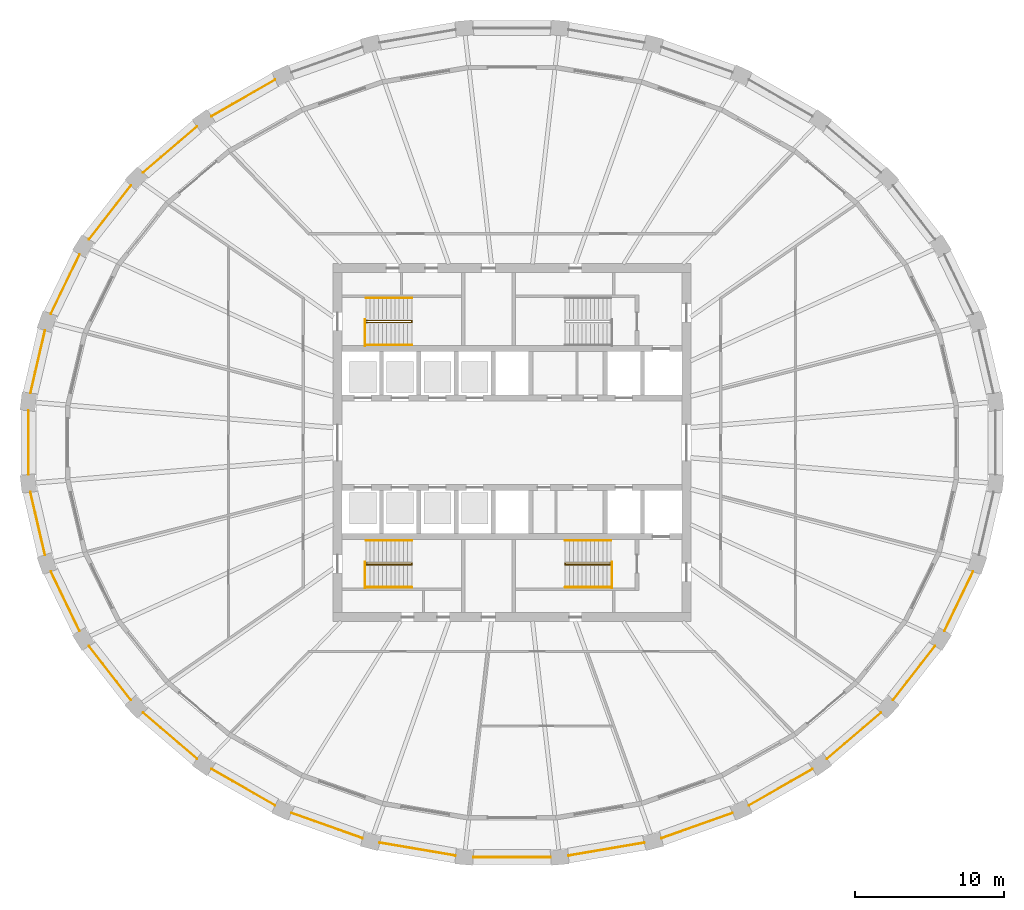
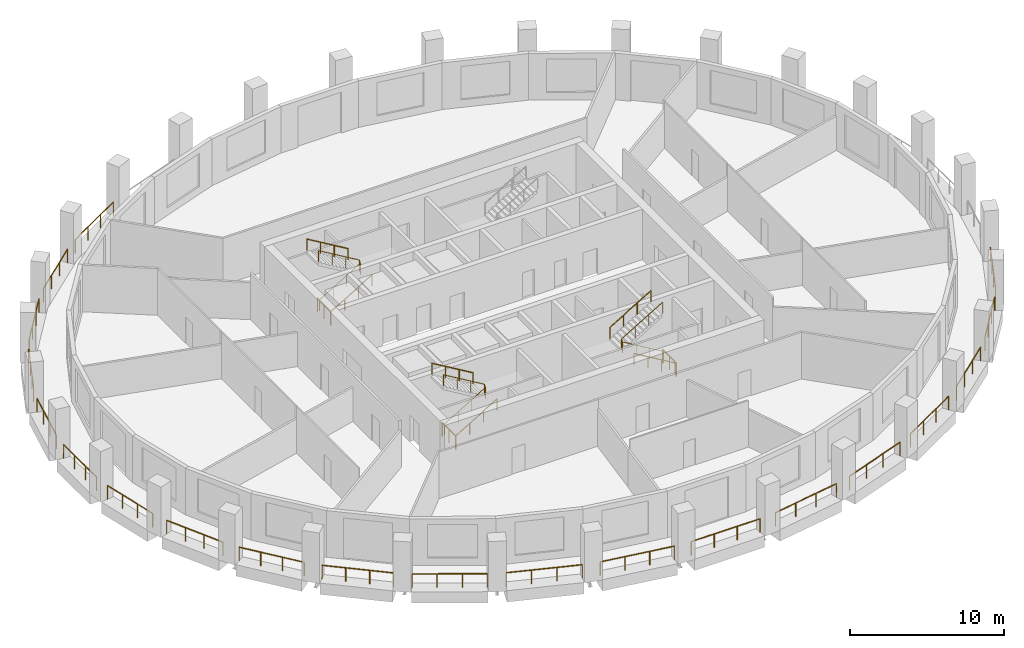
# One storey, part 8 of 10: 32 railings.
"""IFC4 building model written with IfcOpenShell, lengths in metres."""

from ifc_helpers import new_model, si_unit, direction, frame, origin, origin_2d, place, context, subcontext, project, spatial, circle, extrude, material, type_object, element, save


model = new_model("IFC4")

# Units and contexts
model_context = context("Model", 3, precision=1e-05, world=origin(), true_north=direction((0.0, 1.0)))
body_context = subcontext(model_context, "Body", "Model", "MODEL_VIEW")
ifc_project = project(units=[si_unit("LENGTHUNIT", "METRE"), si_unit("AREAUNIT", "SQUARE_METRE"), si_unit("VOLUMEUNIT", "CUBIC_METRE"), si_unit("PLANEANGLEUNIT", "RADIAN"), si_unit("MASSUNIT", "GRAM", prefix="KILO")], contexts=[model_context])

# Site, building, storey
site_placement = place(None, origin())
site = spatial("IfcSite", under=ifc_project, at=site_placement, CompositionType="ELEMENT")
building_placement = place(site_placement, origin())
building = spatial("IfcBuilding", under=site, at=building_placement, Name="Halqa Exchange Tower", CompositionType="ELEMENT")
storey_placement = place(building_placement, frame((0.0, 0.0, 194.89990234375)))
storey = spatial("IfcBuildingStorey", under=building, at=storey_placement, Name="L44", CompositionType="ELEMENT", Elevation=194.89990234375)

# Railings
ifc_material = material(Name="Stainless steel", Category="steel")
railing_type_1 = type_object("IfcRailingType", Name="Guard 1100 stainless steel", PredefinedType="GUARDRAIL", material=ifc_material)
railing_1_placement = place(storey_placement, frame((-15.87841796875, 24.329345703125, 0.0)))
element("IfcRailing", 1, at=railing_1_placement, inside=storey, type_object=railing_type_1, Name="Loggia guard 11", PredefinedType="GUARDRAIL", context=body_context, shape_type="SweptSolid", body=[
    extrude(circle(Radius=0.02392578125, at=origin_2d()), frame((0.0, 0.0, 1.076171875), z_axis=(-0.867760186482, -0.496983157417, 0.0), x_axis=(0.496983157417, -0.867760186482, 0.0)), (0.0, 0.0, 1.0), 4.91943359375),
    extrude(circle(Radius=0.02099609375, at=origin_2d()), origin(), (0.0, 0.0, 1.0), 1.052001953125),
    extrude(circle(Radius=0.02099609375, at=origin_2d()), frame((-1.4228515625, -0.81494140625, 0.0)), (0.0, 0.0, 1.0), 1.052001953125),
    extrude(circle(Radius=0.02099609375, at=origin_2d()), frame((-2.845947265625, -1.6298828125, 0.0)), (0.0, 0.0, 1.0), 1.052001953125),
    extrude(circle(Radius=0.02099609375, at=origin_2d()), frame((-4.268798828125, -2.44482421875, 0.0)), (0.0, 0.0, 1.0), 1.052001953125),
])
railing_2_placement = place(storey_placement, frame((-21.123291015625, 21.19580078125, 0.0)))
element("IfcRailing", 2, at=railing_2_placement, inside=storey, type_object=railing_type_1, Name="Loggia guard 12", PredefinedType="GUARDRAIL", context=body_context, shape_type="SweptSolid", body=[
    extrude(circle(Radius=0.02392578125, at=origin_2d()), frame((0.0, 0.0, 1.076171875), z_axis=(-0.759245713633, -0.650804076761, 0.0), x_axis=(0.650804076761, -0.759245713633, 0.0)), (0.0, 0.0, 1.0), 4.748046875),
    extrude(circle(Radius=0.02099609375, at=origin_2d()), origin(), (0.0, 0.0, 1.0), 1.052001953125),
    extrude(circle(Radius=0.02099609375, at=origin_2d()), frame((-1.20166015625, -1.030029296875, 0.0)), (0.0, 0.0, 1.0), 1.052001953125),
    extrude(circle(Radius=0.02099609375, at=origin_2d()), frame((-2.4033203125, -2.06005859375, 0.0)), (0.0, 0.0, 1.0), 1.052001953125),
    extrude(circle(Radius=0.02099609375, at=origin_2d()), frame((-3.60498046875, -3.090087890625, 0.0)), (0.0, 0.0, 1.0), 1.052001953125),
])
railing_3_placement = place(storey_placement, frame((-25.552734375, 17.2421875, 0.0)))
element("IfcRailing", 3, at=railing_3_placement, inside=storey, type_object=railing_type_1, Name="Loggia guard 13", PredefinedType="GUARDRAIL", context=body_context, shape_type="SweptSolid", body=[
    extrude(circle(Radius=0.02392578125, at=origin_2d()), frame((0.0, 0.0, 1.076171875), z_axis=(-0.614790692389, -0.788690309661, 0.0), x_axis=(0.788690309661, -0.614790692389, 0.0)), (0.0, 0.0, 1.0), 4.571044921875),
    extrude(circle(Radius=0.02099609375, at=origin_2d()), origin(), (0.0, 0.0, 1.0), 1.052001953125),
    extrude(circle(Radius=0.02099609375, at=origin_2d()), frame((-0.936767578125, -1.20166015625, 0.0)), (0.0, 0.0, 1.0), 1.052001953125),
    extrude(circle(Radius=0.02099609375, at=origin_2d()), frame((-1.87353515625, -2.403564453125, 0.0)), (0.0, 0.0, 1.0), 1.052001953125),
    extrude(circle(Radius=0.02099609375, at=origin_2d()), frame((-2.810302734375, -3.605224609375, 0.0)), (0.0, 0.0, 1.0), 1.052001953125),
])
railing_4_placement = place(storey_placement, frame((-28.9931640625, 12.62353515625, 0.0)))
element("IfcRailing", 4, at=railing_4_placement, inside=storey, type_object=railing_type_1, Name="Loggia guard 14", PredefinedType="GUARDRAIL", context=body_context, shape_type="SweptSolid", body=[
    extrude(circle(Radius=0.02392578125, at=origin_2d()), frame((0.0, 0.0, 1.076171875), z_axis=(-0.435079799451, -0.900391896959, 0.0), x_axis=(0.900391896959, -0.435079799451, 0.0)), (0.0, 0.0, 1.0), 4.417236328125),
    extrude(circle(Radius=0.02099609375, at=origin_2d()), origin(), (0.0, 0.0, 1.0), 1.052001953125),
    extrude(circle(Radius=0.02099609375, at=origin_2d()), frame((-0.640625, -1.32568359375, 0.0)), (0.0, 0.0, 1.0), 1.052001953125),
    extrude(circle(Radius=0.02099609375, at=origin_2d()), frame((-1.28125, -2.651611328125, 0.0)), (0.0, 0.0, 1.0), 1.052001953125),
    extrude(circle(Radius=0.02099609375, at=origin_2d()), frame((-1.921875, -3.977294921875, 0.0)), (0.0, 0.0, 1.0), 1.052001953125),
])
railing_5_placement = place(storey_placement, frame((-31.311767578125, 7.521484375, 0.0)))
element("IfcRailing", 5, at=railing_5_placement, inside=storey, type_object=railing_type_1, Name="Loggia guard 15", PredefinedType="GUARDRAIL", context=body_context, shape_type="SweptSolid", body=[
    extrude(circle(Radius=0.02392578125, at=origin_2d()), frame((0.0, 0.0, 1.076171875), z_axis=(-0.226046234035, -0.974116574173, 0.0), x_axis=(0.974116574173, -0.226046234035, 0.0)), (0.0, 0.0, 1.0), 4.3115234375),
    extrude(circle(Radius=0.02099609375, at=origin_2d()), origin(), (0.0, 0.0, 1.0), 1.052001953125),
    extrude(circle(Radius=0.02099609375, at=origin_2d()), frame((-0.324951171875, -1.39990234375, 0.0)), (0.0, 0.0, 1.0), 1.052001953125),
    extrude(circle(Radius=0.02099609375, at=origin_2d()), frame((-0.649658203125, -2.800048828125, 0.0)), (0.0, 0.0, 1.0), 1.052001953125),
    extrude(circle(Radius=0.02099609375, at=origin_2d()), frame((-0.974609375, -4.199951171875, 0.0)), (0.0, 0.0, 1.0), 1.052001953125),
])
railing_6_placement = place(storey_placement, frame((-32.422119140625, 2.13720703125, 0.0)))
element("IfcRailing", 6, at=railing_6_placement, inside=storey, type_object=railing_type_1, Name="Loggia guard 16", PredefinedType="GUARDRAIL", context=body_context, shape_type="SweptSolid", body=[
    extrude(circle(Radius=0.02392578125, at=origin_2d()), frame((0.0, 0.0, 1.076171875), z_axis=(0.0, -1.0, 0.0), x_axis=(1.0, 0.0, 0.0)), (0.0, 0.0, 1.0), 4.2744140625),
    extrude(circle(Radius=0.02099609375, at=origin_2d()), origin(), (0.0, 0.0, 1.0), 1.052001953125),
    extrude(circle(Radius=0.02099609375, at=origin_2d()), frame((0.0, -1.4248046875, 0.0)), (0.0, 0.0, 1.0), 1.052001953125),
    extrude(circle(Radius=0.02099609375, at=origin_2d()), frame((0.0, -2.849609375, 0.0)), (0.0, 0.0, 1.0), 1.052001953125),
    extrude(circle(Radius=0.02099609375, at=origin_2d()), frame((0.0, -4.2744140625, 0.0)), (0.0, 0.0, 1.0), 1.052001953125),
])
railing_7_placement = place(storey_placement, frame((-32.286376953125, -3.321533203125, 0.0)))
element("IfcRailing", 7, at=railing_7_placement, inside=storey, type_object=railing_type_1, Name="Loggia guard 17", PredefinedType="GUARDRAIL", context=body_context, shape_type="SweptSolid", body=[
    extrude(circle(Radius=0.02392578125, at=origin_2d()), frame((0.0, 0.0, 1.076171875), z_axis=(0.226046234035, -0.974116574173, 0.0), x_axis=(0.974116574173, 0.226046234035, 0.0)), (0.0, 0.0, 1.0), 4.3115234375),
    extrude(circle(Radius=0.02099609375, at=origin_2d()), origin(), (0.0, 0.0, 1.0), 1.052001953125),
    extrude(circle(Radius=0.02099609375, at=origin_2d()), frame((0.324951171875, -1.39990234375, 0.0)), (0.0, 0.0, 1.0), 1.052001953125),
    extrude(circle(Radius=0.02099609375, at=origin_2d()), frame((0.649658203125, -2.800048828125, 0.0)), (0.0, 0.0, 1.0), 1.052001953125),
    extrude(circle(Radius=0.02099609375, at=origin_2d()), frame((0.974609375, -4.199951171875, 0.0)), (0.0, 0.0, 1.0), 1.052001953125),
])
railing_8_placement = place(storey_placement, frame((-30.9150390625, -8.646240234375, 0.0)))
element("IfcRailing", 8, at=railing_8_placement, inside=storey, type_object=railing_type_1, Name="Loggia guard 18", PredefinedType="GUARDRAIL", context=body_context, shape_type="SweptSolid", body=[
    extrude(circle(Radius=0.02392578125, at=origin_2d()), frame((0.0, 0.0, 1.076171875), z_axis=(0.435079799451, -0.900391896959, 0.0), x_axis=(0.900391896959, 0.435079799451, 0.0)), (0.0, 0.0, 1.0), 4.417236328125),
    extrude(circle(Radius=0.02099609375, at=origin_2d()), origin(), (0.0, 0.0, 1.0), 1.052001953125),
    extrude(circle(Radius=0.02099609375, at=origin_2d()), frame((0.640625, -1.32568359375, 0.0)), (0.0, 0.0, 1.0), 1.052001953125),
    extrude(circle(Radius=0.02099609375, at=origin_2d()), frame((1.28125, -2.651611328125, 0.0)), (0.0, 0.0, 1.0), 1.052001953125),
    extrude(circle(Radius=0.02099609375, at=origin_2d()), frame((1.921875, -3.977294921875, 0.0)), (0.0, 0.0, 1.0), 1.052001953125),
])
railing_9_placement = place(storey_placement, frame((-28.363037109375, -13.636962890625, 0.0)))
element("IfcRailing", 9, at=railing_9_placement, inside=storey, type_object=railing_type_1, Name="Loggia guard 19", PredefinedType="GUARDRAIL", context=body_context, shape_type="SweptSolid", body=[
    extrude(circle(Radius=0.02392578125, at=origin_2d()), frame((0.0, 0.0, 1.076171875), z_axis=(0.614790692389, -0.788690309661, 0.0), x_axis=(0.788690309661, 0.614790692389, 0.0)), (0.0, 0.0, 1.0), 4.571044921875),
    extrude(circle(Radius=0.02099609375, at=origin_2d()), origin(), (0.0, 0.0, 1.0), 1.052001953125),
    extrude(circle(Radius=0.02099609375, at=origin_2d()), frame((0.936767578125, -1.20166015625, 0.0)), (0.0, 0.0, 1.0), 1.052001953125),
    extrude(circle(Radius=0.02099609375, at=origin_2d()), frame((1.87353515625, -2.403564453125, 0.0)), (0.0, 0.0, 1.0), 1.052001953125),
    extrude(circle(Radius=0.02099609375, at=origin_2d()), frame((2.810302734375, -3.605224609375, 0.0)), (0.0, 0.0, 1.0), 1.052001953125),
])
railing_10_placement = place(storey_placement, frame((-24.728271484375, -18.105712890625, 0.0)))
element("IfcRailing", 10, at=railing_10_placement, inside=storey, type_object=railing_type_1, Name="Loggia guard 20", PredefinedType="GUARDRAIL", context=body_context, shape_type="SweptSolid", body=[
    extrude(circle(Radius=0.02392578125, at=origin_2d()), frame((0.0, 0.0, 1.076171875), z_axis=(0.759245713633, -0.650804076761, 0.0), x_axis=(0.650804076761, 0.759245713633, 0.0)), (0.0, 0.0, 1.0), 4.748046875),
    extrude(circle(Radius=0.02099609375, at=origin_2d()), origin(), (0.0, 0.0, 1.0), 1.052001953125),
    extrude(circle(Radius=0.02099609375, at=origin_2d()), frame((1.20166015625, -1.030029296875, 0.0)), (0.0, 0.0, 1.0), 1.052001953125),
    extrude(circle(Radius=0.02099609375, at=origin_2d()), frame((2.4033203125, -2.06005859375, 0.0)), (0.0, 0.0, 1.0), 1.052001953125),
    extrude(circle(Radius=0.02099609375, at=origin_2d()), frame((3.60498046875, -3.090087890625, 0.0)), (0.0, 0.0, 1.0), 1.052001953125),
])
railing_11_placement = place(storey_placement, frame((-20.147216796875, -21.884521484375, 0.0)))
element("IfcRailing", 11, at=railing_11_placement, inside=storey, type_object=railing_type_1, Name="Loggia guard 21", PredefinedType="GUARDRAIL", context=body_context, shape_type="SweptSolid", body=[
    extrude(circle(Radius=0.02392578125, at=origin_2d()), frame((0.0, 0.0, 1.076171875), z_axis=(0.867760186482, -0.496983157417, 0.0), x_axis=(0.496983157417, 0.867760186482, 0.0)), (0.0, 0.0, 1.0), 4.91943359375),
    extrude(circle(Radius=0.02099609375, at=origin_2d()), origin(), (0.0, 0.0, 1.0), 1.052001953125),
    extrude(circle(Radius=0.02099609375, at=origin_2d()), frame((1.4228515625, -0.81494140625, 0.0)), (0.0, 0.0, 1.0), 1.052001953125),
    extrude(circle(Radius=0.02099609375, at=origin_2d()), frame((2.845947265625, -1.6298828125, 0.0)), (0.0, 0.0, 1.0), 1.052001953125),
    extrude(circle(Radius=0.02099609375, at=origin_2d()), frame((4.268798828125, -2.44482421875, 0.0)), (0.0, 0.0, 1.0), 1.052001953125),
])
railing_12_placement = place(storey_placement, frame((-14.792236328125, -24.828125, 0.0)))
element("IfcRailing", 12, at=railing_12_placement, inside=storey, type_object=railing_type_1, Name="Loggia guard 22", PredefinedType="GUARDRAIL", context=body_context, shape_type="SweptSolid", body=[
    extrude(circle(Radius=0.02392578125, at=origin_2d()), frame((0.0, 0.0, 1.076171875), z_axis=(0.942353673128, -0.334618521217, 0.0), x_axis=(0.334618521217, 0.942353673128, 0.0)), (0.0, 0.0, 1.0), 5.061279296875),
    extrude(circle(Radius=0.02099609375, at=origin_2d()), origin(), (0.0, 0.0, 1.0), 1.052001953125),
    extrude(circle(Radius=0.02099609375, at=origin_2d()), frame((1.58984375, -0.564453125, 0.0)), (0.0, 0.0, 1.0), 1.052001953125),
    extrude(circle(Radius=0.02099609375, at=origin_2d()), frame((3.1796875, -1.129150390625, 0.0)), (0.0, 0.0, 1.0), 1.052001953125),
    extrude(circle(Radius=0.02099609375, at=origin_2d()), frame((4.76953125, -1.693603515625, 0.0)), (0.0, 0.0, 1.0), 1.052001953125),
])
railing_13_placement = place(storey_placement, frame((-8.86572265625, -26.8232421875, 0.0)))
element("IfcRailing", 13, at=railing_13_placement, inside=storey, type_object=railing_type_1, Name="Loggia guard 23", PredefinedType="GUARDRAIL", context=body_context, shape_type="SweptSolid", body=[
    extrude(circle(Radius=0.02392578125, at=origin_2d()), frame((0.0, 0.0, 1.076171875), z_axis=(0.985776455077, -0.168061835693, 0.0), x_axis=(0.168061835693, 0.985776455077, 0.0)), (0.0, 0.0, 1.0), 5.154052734375),
    extrude(circle(Radius=0.02099609375, at=origin_2d()), origin(), (0.0, 0.0, 1.0), 1.052001953125),
    extrude(circle(Radius=0.02099609375, at=origin_2d()), frame((1.693603515625, -0.288818359375, 0.0)), (0.0, 0.0, 1.0), 1.052001953125),
    extrude(circle(Radius=0.02099609375, at=origin_2d()), frame((3.38720703125, -0.577392578125, 0.0)), (0.0, 0.0, 1.0), 1.052001953125),
    extrude(circle(Radius=0.02099609375, at=origin_2d()), frame((5.080810546875, -0.8662109375, 0.0)), (0.0, 0.0, 1.0), 1.052001953125),
])
railing_14_placement = place(storey_placement, frame((-2.59326171875, -27.790283203125, 0.0)))
element("IfcRailing", 14, at=railing_14_placement, inside=storey, type_object=railing_type_1, Name="Loggia guard 24", PredefinedType="GUARDRAIL", context=body_context, shape_type="SweptSolid", body=[
    extrude(circle(Radius=0.02392578125, at=origin_2d()), frame((0.0, 0.0, 1.076171875), z_axis=(1.0, 0.0, 0.0), x_axis=(0.0, 1.0, 0.0)), (0.0, 0.0, 1.0), 5.1865234375),
    extrude(circle(Radius=0.02099609375, at=origin_2d()), origin(), (0.0, 0.0, 1.0), 1.052001953125),
    extrude(circle(Radius=0.02099609375, at=origin_2d()), frame((1.728759765625, 0.0, 0.0)), (0.0, 0.0, 1.0), 1.052001953125),
    extrude(circle(Radius=0.02099609375, at=origin_2d()), frame((3.457763671875, 0.0, 0.0)), (0.0, 0.0, 1.0), 1.052001953125),
    extrude(circle(Radius=0.02099609375, at=origin_2d()), frame((5.1865234375, 0.0, 0.0)), (0.0, 0.0, 1.0), 1.052001953125),
])
railing_15_placement = place(storey_placement, frame((3.784912109375, -27.689453125, 0.0)))
element("IfcRailing", 15, at=railing_15_placement, inside=storey, type_object=railing_type_1, Name="Loggia guard 25", PredefinedType="GUARDRAIL", context=body_context, shape_type="SweptSolid", body=[
    extrude(circle(Radius=0.02392578125, at=origin_2d()), frame((0.0, 0.0, 1.076171875), z_axis=(0.985776455077, 0.168061835693, 0.0), x_axis=(-0.168061835693, 0.985776455077, 0.0)), (0.0, 0.0, 1.0), 5.154052734375),
    extrude(circle(Radius=0.02099609375, at=origin_2d()), origin(), (0.0, 0.0, 1.0), 1.052001953125),
    extrude(circle(Radius=0.02099609375, at=origin_2d()), frame((1.693603515625, 0.288818359375, 0.0)), (0.0, 0.0, 1.0), 1.052001953125),
    extrude(circle(Radius=0.02099609375, at=origin_2d()), frame((3.38720703125, 0.577392578125, 0.0)), (0.0, 0.0, 1.0), 1.052001953125),
    extrude(circle(Radius=0.02099609375, at=origin_2d()), frame((5.080810546875, 0.8662109375, 0.0)), (0.0, 0.0, 1.0), 1.052001953125),
])
railing_16_placement = place(storey_placement, frame((10.022705078125, -26.521728515625, 0.0)))
element("IfcRailing", 16, at=railing_16_placement, inside=storey, type_object=railing_type_1, Name="Loggia guard 26", PredefinedType="GUARDRAIL", context=body_context, shape_type="SweptSolid", body=[
    extrude(circle(Radius=0.02392578125, at=origin_2d()), frame((0.0, 0.0, 1.076171875), z_axis=(0.942353673128, 0.334618521217, 0.0), x_axis=(-0.334618521217, 0.942353673128, 0.0)), (0.0, 0.0, 1.0), 5.061279296875),
    extrude(circle(Radius=0.02099609375, at=origin_2d()), origin(), (0.0, 0.0, 1.0), 1.052001953125),
    extrude(circle(Radius=0.02099609375, at=origin_2d()), frame((1.58984375, 0.564453125, 0.0)), (0.0, 0.0, 1.0), 1.052001953125),
    extrude(circle(Radius=0.02099609375, at=origin_2d()), frame((3.1796875, 1.129150390625, 0.0)), (0.0, 0.0, 1.0), 1.052001953125),
    extrude(circle(Radius=0.02099609375, at=origin_2d()), frame((4.76953125, 1.693603515625, 0.0)), (0.0, 0.0, 1.0), 1.052001953125),
])
railing_17_placement = place(storey_placement, frame((15.87841796875, -24.329345703125, 0.0)))
element("IfcRailing", 17, at=railing_17_placement, inside=storey, type_object=railing_type_1, Name="Loggia guard 27", PredefinedType="GUARDRAIL", context=body_context, shape_type="SweptSolid", body=[
    extrude(circle(Radius=0.02392578125, at=origin_2d()), frame((0.0, 0.0, 1.076171875), z_axis=(0.867760186482, 0.496983157417, 0.0), x_axis=(-0.496983157417, 0.867760186482, 0.0)), (0.0, 0.0, 1.0), 4.91943359375),
    extrude(circle(Radius=0.02099609375, at=origin_2d()), origin(), (0.0, 0.0, 1.0), 1.052001953125),
    extrude(circle(Radius=0.02099609375, at=origin_2d()), frame((1.4228515625, 0.81494140625, 0.0)), (0.0, 0.0, 1.0), 1.052001953125),
    extrude(circle(Radius=0.02099609375, at=origin_2d()), frame((2.845947265625, 1.6298828125, 0.0)), (0.0, 0.0, 1.0), 1.052001953125),
    extrude(circle(Radius=0.02099609375, at=origin_2d()), frame((4.268798828125, 2.44482421875, 0.0)), (0.0, 0.0, 1.0), 1.052001953125),
])
railing_18_placement = place(storey_placement, frame((21.123291015625, -21.19580078125, 0.0)))
element("IfcRailing", 18, at=railing_18_placement, inside=storey, type_object=railing_type_1, Name="Loggia guard 28", PredefinedType="GUARDRAIL", context=body_context, shape_type="SweptSolid", body=[
    extrude(circle(Radius=0.02392578125, at=origin_2d()), frame((0.0, 0.0, 1.076171875), z_axis=(0.759245713633, 0.650804076761, 0.0), x_axis=(-0.650804076761, 0.759245713633, 0.0)), (0.0, 0.0, 1.0), 4.748046875),
    extrude(circle(Radius=0.02099609375, at=origin_2d()), origin(), (0.0, 0.0, 1.0), 1.052001953125),
    extrude(circle(Radius=0.02099609375, at=origin_2d()), frame((1.20166015625, 1.030029296875, 0.0)), (0.0, 0.0, 1.0), 1.052001953125),
    extrude(circle(Radius=0.02099609375, at=origin_2d()), frame((2.4033203125, 2.06005859375, 0.0)), (0.0, 0.0, 1.0), 1.052001953125),
    extrude(circle(Radius=0.02099609375, at=origin_2d()), frame((3.60498046875, 3.090087890625, 0.0)), (0.0, 0.0, 1.0), 1.052001953125),
])
railing_19_placement = place(storey_placement, frame((25.552734375, -17.2421875, 0.0)))
element("IfcRailing", 19, at=railing_19_placement, inside=storey, type_object=railing_type_1, Name="Loggia guard 29", PredefinedType="GUARDRAIL", context=body_context, shape_type="SweptSolid", body=[
    extrude(circle(Radius=0.02392578125, at=origin_2d()), frame((0.0, 0.0, 1.076171875), z_axis=(0.614790692389, 0.788690309661, 0.0), x_axis=(-0.788690309661, 0.614790692389, 0.0)), (0.0, 0.0, 1.0), 4.571044921875),
    extrude(circle(Radius=0.02099609375, at=origin_2d()), origin(), (0.0, 0.0, 1.0), 1.052001953125),
    extrude(circle(Radius=0.02099609375, at=origin_2d()), frame((0.936767578125, 1.20166015625, 0.0)), (0.0, 0.0, 1.0), 1.052001953125),
    extrude(circle(Radius=0.02099609375, at=origin_2d()), frame((1.87353515625, 2.403564453125, 0.0)), (0.0, 0.0, 1.0), 1.052001953125),
    extrude(circle(Radius=0.02099609375, at=origin_2d()), frame((2.810302734375, 3.605224609375, 0.0)), (0.0, 0.0, 1.0), 1.052001953125),
])
railing_20_placement = place(storey_placement, frame((28.9931640625, -12.62353515625, 0.0)))
element("IfcRailing", 20, at=railing_20_placement, inside=storey, type_object=railing_type_1, Name="Loggia guard 30", PredefinedType="GUARDRAIL", context=body_context, shape_type="SweptSolid", body=[
    extrude(circle(Radius=0.02392578125, at=origin_2d()), frame((0.0, 0.0, 1.076171875), z_axis=(0.435079799451, 0.900391896959, 0.0), x_axis=(-0.900391896959, 0.435079799451, 0.0)), (0.0, 0.0, 1.0), 4.417236328125),
    extrude(circle(Radius=0.02099609375, at=origin_2d()), origin(), (0.0, 0.0, 1.0), 1.052001953125),
    extrude(circle(Radius=0.02099609375, at=origin_2d()), frame((0.640625, 1.32568359375, 0.0)), (0.0, 0.0, 1.0), 1.052001953125),
    extrude(circle(Radius=0.02099609375, at=origin_2d()), frame((1.28125, 2.651611328125, 0.0)), (0.0, 0.0, 1.0), 1.052001953125),
    extrude(circle(Radius=0.02099609375, at=origin_2d()), frame((1.921875, 3.977294921875, 0.0)), (0.0, 0.0, 1.0), 1.052001953125),
])
railing_type_2 = type_object("IfcRailingType", Name="Stair handrail 900", PredefinedType="HANDRAIL", material=ifc_material)
railing_21_placement = place(storey_placement, frame((-9.800048828125, 8.06005859375, 0.166748046875)))
element("IfcRailing", 21, at=railing_21_placement, inside=storey, type_object=railing_type_2, Name="Handrail ST1.1", PredefinedType="HANDRAIL", context=body_context, shape_type="SweptSolid", body=[
    extrude(circle(Radius=0.02392578125, at=origin_2d()), frame((0.0, 0.0, 0.8759765625), z_axis=(0.859308565015, 0.0, 0.511457515432), x_axis=(0.0, 1.0, 0.0)), (0.0, 0.0, 1.0), 3.58447265625),
    extrude(circle(Radius=0.02392578125, at=origin_2d()), frame((3.080078125, 0.0, 2.708984375), z_axis=(0.0, 0.614500226555, 0.788916644243), x_axis=(-1.0, 0.0, 0.0)), (0.0, 0.0, 1.0), 0.21142578125),
    extrude(circle(Radius=0.02392578125, at=origin_2d()), frame((3.080078125, 0.1298828125, 2.8759765625), z_axis=(-0.859308565015, 0.0, 0.511457515432), x_axis=(0.0, -1.0, 0.0)), (0.0, 0.0, 1.0), 3.58447265625),
    extrude(circle(Radius=0.02099609375, at=origin_2d()), origin(), (0.0, 0.0, 1.0), 0.851806640625),
    extrude(circle(Radius=0.02099609375, at=origin_2d()), frame((1.026611328125, 0.0, 0.611083984375)), (0.0, 0.0, 1.0), 0.851806640625),
    extrude(circle(Radius=0.02099609375, at=origin_2d()), frame((2.053466796875, 0.0, 1.22216796875)), (0.0, 0.0, 1.0), 0.851806640625),
    extrude(circle(Radius=0.02099609375, at=origin_2d()), frame((3.080078125, 0.0, 1.833251953125)), (0.0, 0.0, 1.0), 0.851806640625),
    extrude(circle(Radius=0.02099609375, at=origin_2d()), frame((3.080078125, 0.1298828125, 2.0)), (0.0, 0.0, 1.0), 0.851806640625),
    extrude(circle(Radius=0.02099609375, at=origin_2d()), frame((2.053466796875, 0.1298828125, 2.611083984375)), (0.0, 0.0, 1.0), 0.851806640625),
    extrude(circle(Radius=0.02099609375, at=origin_2d()), frame((1.026611328125, 0.1298828125, 3.22216796875)), (0.0, 0.0, 1.0), 0.851806640625),
    extrude(circle(Radius=0.02099609375, at=origin_2d()), frame((0.0, 0.1298828125, 3.833251953125)), (0.0, 0.0, 1.0), 0.851806640625),
])
railing_22_placement = place(storey_placement, frame((-9.800048828125, 6.550048828125, 0.166748046875)))
element("IfcRailing", 22, at=railing_22_placement, inside=storey, type_object=railing_type_2, Name="Handrail ST1.2", PredefinedType="HANDRAIL", context=body_context, shape_type="SweptSolid", body=[
    extrude(circle(Radius=0.02392578125, at=origin_2d()), frame((0.0, 0.0, 0.8759765625), z_axis=(0.859308565015, 0.0, 0.511457515432), x_axis=(0.0, 1.0, 0.0)), (0.0, 0.0, 1.0), 3.58447265625),
    extrude(circle(Radius=0.02099609375, at=origin_2d()), origin(), (0.0, 0.0, 1.0), 0.851806640625),
    extrude(circle(Radius=0.02099609375, at=origin_2d()), frame((1.026611328125, 0.0, 0.611083984375)), (0.0, 0.0, 1.0), 0.851806640625),
    extrude(circle(Radius=0.02099609375, at=origin_2d()), frame((2.053466796875, 0.0, 1.22216796875)), (0.0, 0.0, 1.0), 0.851806640625),
    extrude(circle(Radius=0.02099609375, at=origin_2d()), frame((3.080078125, 0.0, 1.833251953125)), (0.0, 0.0, 1.0), 0.851806640625),
])
railing_23_placement = place(storey_placement, frame((-6.719970703125, 9.699951171875, 2.166748046875)))
element("IfcRailing", 23, at=railing_23_placement, inside=storey, type_object=railing_type_2, Name="Handrail ST1.3", PredefinedType="HANDRAIL", context=body_context, shape_type="SweptSolid", body=[
    extrude(circle(Radius=0.02392578125, at=origin_2d()), frame((0.0, 0.0, 0.8759765625), z_axis=(-0.859308565015, 0.0, 0.511457515432), x_axis=(0.0, -1.0, 0.0)), (0.0, 0.0, 1.0), 3.58447265625),
    extrude(circle(Radius=0.02099609375, at=origin_2d()), origin(), (0.0, 0.0, 1.0), 0.851806640625),
    extrude(circle(Radius=0.02099609375, at=origin_2d()), frame((-1.026611328125, 0.0, 0.611083984375)), (0.0, 0.0, 1.0), 0.851806640625),
    extrude(circle(Radius=0.02099609375, at=origin_2d()), frame((-2.053466796875, 0.0, 1.22216796875)), (0.0, 0.0, 1.0), 0.851806640625),
    extrude(circle(Radius=0.02099609375, at=origin_2d()), frame((-3.080078125, 0.0, 1.833251953125)), (0.0, 0.0, 1.0), 0.851806640625),
])
railing_24_placement = place(storey_placement, frame((-9.800048828125, -8.18994140625, 0.166748046875)))
element("IfcRailing", 24, at=railing_24_placement, inside=storey, type_object=railing_type_2, Name="Handrail ST3.1", PredefinedType="HANDRAIL", context=body_context, shape_type="SweptSolid", body=[
    extrude(circle(Radius=0.02392578125, at=origin_2d()), frame((0.0, 0.0, 0.8759765625), z_axis=(0.859308565015, 0.0, 0.511457515432), x_axis=(0.0, 1.0, 0.0)), (0.0, 0.0, 1.0), 3.58447265625),
    extrude(circle(Radius=0.02392578125, at=origin_2d()), frame((3.080078125, 0.0, 2.708984375), z_axis=(0.0, 0.614500226555, 0.788916644243), x_axis=(-1.0, 0.0, 0.0)), (0.0, 0.0, 1.0), 0.21142578125),
    extrude(circle(Radius=0.02392578125, at=origin_2d()), frame((3.080078125, 0.1298828125, 2.8759765625), z_axis=(-0.859308565015, 0.0, 0.511457515432), x_axis=(0.0, -1.0, 0.0)), (0.0, 0.0, 1.0), 3.58447265625),
    extrude(circle(Radius=0.02099609375, at=origin_2d()), origin(), (0.0, 0.0, 1.0), 0.851806640625),
    extrude(circle(Radius=0.02099609375, at=origin_2d()), frame((1.026611328125, 0.0, 0.611083984375)), (0.0, 0.0, 1.0), 0.851806640625),
    extrude(circle(Radius=0.02099609375, at=origin_2d()), frame((2.053466796875, 0.0, 1.22216796875)), (0.0, 0.0, 1.0), 0.851806640625),
    extrude(circle(Radius=0.02099609375, at=origin_2d()), frame((3.080078125, 0.0, 1.833251953125)), (0.0, 0.0, 1.0), 0.851806640625),
    extrude(circle(Radius=0.02099609375, at=origin_2d()), frame((3.080078125, 0.1298828125, 2.0)), (0.0, 0.0, 1.0), 0.851806640625),
    extrude(circle(Radius=0.02099609375, at=origin_2d()), frame((2.053466796875, 0.1298828125, 2.611083984375)), (0.0, 0.0, 1.0), 0.851806640625),
    extrude(circle(Radius=0.02099609375, at=origin_2d()), frame((1.026611328125, 0.1298828125, 3.22216796875)), (0.0, 0.0, 1.0), 0.851806640625),
    extrude(circle(Radius=0.02099609375, at=origin_2d()), frame((0.0, 0.1298828125, 3.833251953125)), (0.0, 0.0, 1.0), 0.851806640625),
])
railing_25_placement = place(storey_placement, frame((-9.800048828125, -9.699951171875, 0.166748046875)))
element("IfcRailing", 25, at=railing_25_placement, inside=storey, type_object=railing_type_2, Name="Handrail ST3.2", PredefinedType="HANDRAIL", context=body_context, shape_type="SweptSolid", body=[
    extrude(circle(Radius=0.02392578125, at=origin_2d()), frame((0.0, 0.0, 0.8759765625), z_axis=(0.859308565015, 0.0, 0.511457515432), x_axis=(0.0, 1.0, 0.0)), (0.0, 0.0, 1.0), 3.58447265625),
    extrude(circle(Radius=0.02099609375, at=origin_2d()), origin(), (0.0, 0.0, 1.0), 0.851806640625),
    extrude(circle(Radius=0.02099609375, at=origin_2d()), frame((1.026611328125, 0.0, 0.611083984375)), (0.0, 0.0, 1.0), 0.851806640625),
    extrude(circle(Radius=0.02099609375, at=origin_2d()), frame((2.053466796875, 0.0, 1.22216796875)), (0.0, 0.0, 1.0), 0.851806640625),
    extrude(circle(Radius=0.02099609375, at=origin_2d()), frame((3.080078125, 0.0, 1.833251953125)), (0.0, 0.0, 1.0), 0.851806640625),
])
railing_26_placement = place(storey_placement, frame((-6.719970703125, -6.550048828125, 2.166748046875)))
element("IfcRailing", 26, at=railing_26_placement, inside=storey, type_object=railing_type_2, Name="Handrail ST3.3", PredefinedType="HANDRAIL", context=body_context, shape_type="SweptSolid", body=[
    extrude(circle(Radius=0.02392578125, at=origin_2d()), frame((0.0, 0.0, 0.8759765625), z_axis=(-0.859308565015, 0.0, 0.511457515432), x_axis=(0.0, -1.0, 0.0)), (0.0, 0.0, 1.0), 3.58447265625),
    extrude(circle(Radius=0.02099609375, at=origin_2d()), origin(), (0.0, 0.0, 1.0), 0.851806640625),
    extrude(circle(Radius=0.02099609375, at=origin_2d()), frame((-1.026611328125, 0.0, 0.611083984375)), (0.0, 0.0, 1.0), 0.851806640625),
    extrude(circle(Radius=0.02099609375, at=origin_2d()), frame((-2.053466796875, 0.0, 1.22216796875)), (0.0, 0.0, 1.0), 0.851806640625),
    extrude(circle(Radius=0.02099609375, at=origin_2d()), frame((-3.080078125, 0.0, 1.833251953125)), (0.0, 0.0, 1.0), 0.851806640625),
])
railing_27_placement = place(storey_placement, frame((6.64990234375, -8.18994140625, 0.166748046875)))
element("IfcRailing", 27, at=railing_27_placement, inside=storey, type_object=railing_type_2, Name="Handrail ST4.1", PredefinedType="HANDRAIL", context=body_context, shape_type="SweptSolid", body=[
    extrude(circle(Radius=0.02392578125, at=origin_2d()), frame((0.0, 0.0, 0.8759765625), z_axis=(-0.859290745958, 0.0, 0.51148745235), x_axis=(0.0, -1.0, 0.0)), (0.0, 0.0, 1.0), 3.584228515625),
    extrude(circle(Radius=0.02392578125, at=origin_2d()), frame((-3.079833984375, 0.0, 2.708984375), z_axis=(0.0, 0.614500226555, 0.788916644243), x_axis=(-1.0, 0.0, 0.0)), (0.0, 0.0, 1.0), 0.21142578125),
    extrude(circle(Radius=0.02392578125, at=origin_2d()), frame((-3.079833984375, 0.1298828125, 2.8759765625), z_axis=(0.859290745958, 0.0, 0.51148745235), x_axis=(0.0, 1.0, 0.0)), (0.0, 0.0, 1.0), 3.584228515625),
    extrude(circle(Radius=0.02099609375, at=origin_2d()), origin(), (0.0, 0.0, 1.0), 0.851806640625),
    extrude(circle(Radius=0.02099609375, at=origin_2d()), frame((-1.026611328125, 0.0, 0.611083984375)), (0.0, 0.0, 1.0), 0.851806640625),
    extrude(circle(Radius=0.02099609375, at=origin_2d()), frame((-2.05322265625, 0.0, 1.22216796875)), (0.0, 0.0, 1.0), 0.851806640625),
    extrude(circle(Radius=0.02099609375, at=origin_2d()), frame((-3.079833984375, 0.0, 1.833251953125)), (0.0, 0.0, 1.0), 0.851806640625),
    extrude(circle(Radius=0.02099609375, at=origin_2d()), frame((-3.079833984375, 0.1298828125, 2.0)), (0.0, 0.0, 1.0), 0.851806640625),
    extrude(circle(Radius=0.02099609375, at=origin_2d()), frame((-2.05322265625, 0.1298828125, 2.611083984375)), (0.0, 0.0, 1.0), 0.851806640625),
    extrude(circle(Radius=0.02099609375, at=origin_2d()), frame((-1.026611328125, 0.1298828125, 3.22216796875)), (0.0, 0.0, 1.0), 0.851806640625),
    extrude(circle(Radius=0.02099609375, at=origin_2d()), frame((0.0, 0.1298828125, 3.833251953125)), (0.0, 0.0, 1.0), 0.851806640625),
])
railing_28_placement = place(storey_placement, frame((6.64990234375, -9.699951171875, 0.166748046875)))
element("IfcRailing", 28, at=railing_28_placement, inside=storey, type_object=railing_type_2, Name="Handrail ST4.2", PredefinedType="HANDRAIL", context=body_context, shape_type="SweptSolid", body=[
    extrude(circle(Radius=0.02392578125, at=origin_2d()), frame((0.0, 0.0, 0.8759765625), z_axis=(-0.859290745958, 0.0, 0.51148745235), x_axis=(0.0, -1.0, 0.0)), (0.0, 0.0, 1.0), 3.584228515625),
    extrude(circle(Radius=0.02099609375, at=origin_2d()), origin(), (0.0, 0.0, 1.0), 0.851806640625),
    extrude(circle(Radius=0.02099609375, at=origin_2d()), frame((-1.026611328125, 0.0, 0.611083984375)), (0.0, 0.0, 1.0), 0.851806640625),
    extrude(circle(Radius=0.02099609375, at=origin_2d()), frame((-2.05322265625, 0.0, 1.22216796875)), (0.0, 0.0, 1.0), 0.851806640625),
    extrude(circle(Radius=0.02099609375, at=origin_2d()), frame((-3.079833984375, 0.0, 1.833251953125)), (0.0, 0.0, 1.0), 0.851806640625),
])
railing_29_placement = place(storey_placement, frame((3.570068359375, -6.550048828125, 2.166748046875)))
element("IfcRailing", 29, at=railing_29_placement, inside=storey, type_object=railing_type_2, Name="Handrail ST4.3", PredefinedType="HANDRAIL", context=body_context, shape_type="SweptSolid", body=[
    extrude(circle(Radius=0.02392578125, at=origin_2d()), frame((0.0, 0.0, 0.8759765625), z_axis=(0.859290745958, 0.0, 0.51148745235), x_axis=(0.0, 1.0, 0.0)), (0.0, 0.0, 1.0), 3.584228515625),
    extrude(circle(Radius=0.02099609375, at=origin_2d()), origin(), (0.0, 0.0, 1.0), 0.851806640625),
    extrude(circle(Radius=0.02099609375, at=origin_2d()), frame((1.026611328125, 0.0, 0.611083984375)), (0.0, 0.0, 1.0), 0.851806640625),
    extrude(circle(Radius=0.02099609375, at=origin_2d()), frame((2.05322265625, 0.0, 1.22216796875)), (0.0, 0.0, 1.0), 0.851806640625),
    extrude(circle(Radius=0.02099609375, at=origin_2d()), frame((3.079833984375, 0.0, 1.833251953125)), (0.0, 0.0, 1.0), 0.851806640625),
])
railing_type_3 = type_object("IfcRailingType", Name="Stair well guard 1100", PredefinedType="GUARDRAIL", material=ifc_material)
for number, where, name in (
    (30, (-9.85009765625, 6.5, 0.0), "Guard ST1 well"),
    (31, (-9.85009765625, -9.75, 0.0), "Guard ST3 well"),
    (32, (6.699951171875, -9.75, 0.0), "Guard ST4 well"),
):
    element("IfcRailing", number, at=place(storey_placement, frame(where)), inside=storey, type_object=railing_type_3, Name=name, PredefinedType="GUARDRAIL", context=body_context, shape_type="SweptSolid", body=[
        extrude(circle(Radius=0.02392578125, at=origin_2d()), frame((0.0, 0.0, 1.076171875), z_axis=(0.0, 1.0, 0.0), x_axis=(-1.0, 0.0, 0.0)), (0.0, 0.0, 1.0), 1.75),
        extrude(circle(Radius=0.02099609375, at=origin_2d()), origin(), (0.0, 0.0, 1.0), 1.052001953125),
        extrude(circle(Radius=0.02099609375, at=origin_2d()), frame((0.0, 0.875, 0.0)), (0.0, 0.0, 1.0), 1.052001953125),
        extrude(circle(Radius=0.02099609375, at=origin_2d()), frame((0.0, 1.75, 0.0)), (0.0, 0.0, 1.0), 1.052001953125),
    ])

save(model, "model.ifc")
